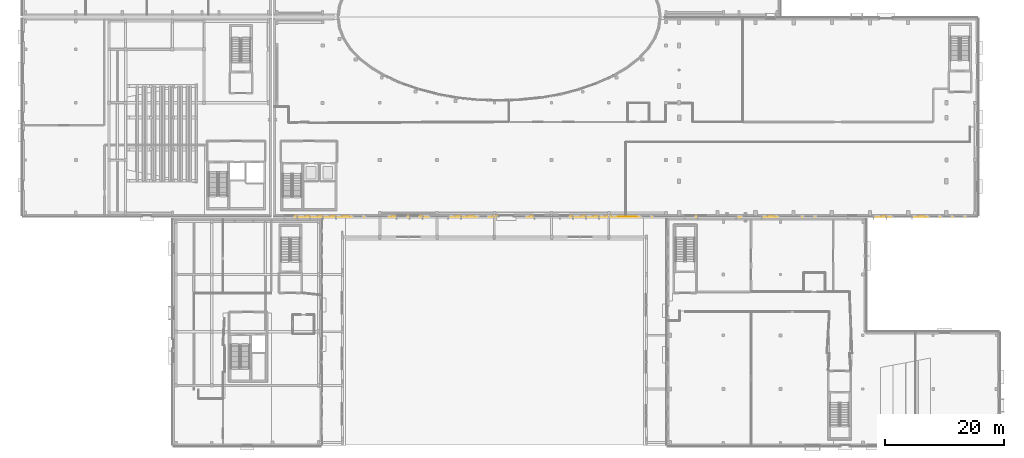
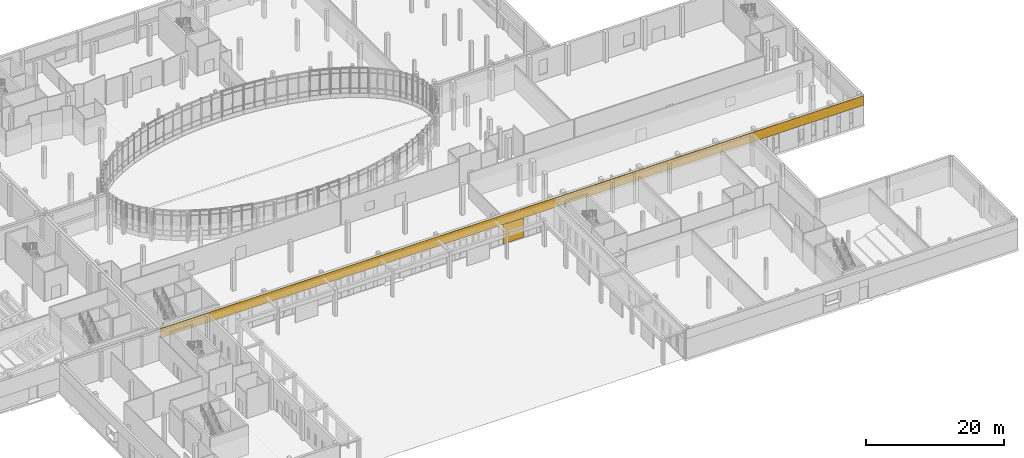
# One storey, part 65 of 84: 2 coverings.
"""IFC4 building model written with IfcOpenShell, lengths in metres."""

from ifc_helpers import new_model, si_unit, direction, frame, origin, origin_2d, place, context, subcontext, project, spatial, rectangle, extrude, material, layer, layer_set, type_object, element, save


model = new_model("IFC4")

# Units and contexts
model_context = context("Model", 3, precision=1e-05, world=origin(), true_north=direction((0.0, 1.0)))
body_context = subcontext(model_context, "Body", "Model", "MODEL_VIEW")
ifc_project = project(units=[si_unit("LENGTHUNIT", "METRE"), si_unit("AREAUNIT", "SQUARE_METRE"), si_unit("VOLUMEUNIT", "CUBIC_METRE"), si_unit("PLANEANGLEUNIT", "RADIAN"), si_unit("MASSUNIT", "GRAM", prefix="KILO")], contexts=[model_context])

# Site, building, storey
site_placement = place(None, origin())
site = spatial("IfcSite", under=ifc_project, at=site_placement, CompositionType="ELEMENT")
building_placement = place(site_placement, origin())
building = spatial("IfcBuilding", under=site, at=building_placement, Name="Mzevani Central Library", CompositionType="ELEMENT")
storey_placement = place(building_placement, origin())
storey = spatial("IfcBuildingStorey", under=building, at=storey_placement, Name="L00", CompositionType="ELEMENT", Elevation=0.0)

# Coverings
ifc_material = material(Name="Limestone ashlar cladding", Category="masonry")
ifc_layer = layer(ifc_material, 0.050048828125, Name="Limestone Ashlar Spandrel Cladding")
ifc_layer_set = layer_set([ifc_layer], Name="Limestone ashlar cladding")
covering_type = type_object("IfcCoveringType", Name="Limestone Ashlar Spandrel Cladding", PredefinedType="CLADDING", material=ifc_layer_set)
covering_1_placement = place(storey_placement, frame((105.25, 42.47607421875, 3.449951171875), z_axis=(0.0, 0.0, 1.0), x_axis=(-1.0, 0.0, 0.0)))
element("IfcCovering", 1, at=covering_1_placement, inside=storey, type_object=covering_type, Name="L00 Warm-White Facade Spandrel (EW4-V1-L00-0002)", PredefinedType="CLADDING", context=body_context, shape_type="SweptSolid", body=[
    extrude(rectangle(XDim=117.8798828125, YDim=0.050048828125, at=origin_2d()), origin(), (0.0, 0.0, 1.0), 1.68994140625),
])
covering_2_placement = place(storey_placement, frame((105.485107421875, 42.47607421875, 0.0), z_axis=(0.0, 0.0, 1.0), x_axis=(-1.0, 0.0, 0.0)))
element("IfcCovering", 2, at=covering_2_placement, inside=storey, type_object=covering_type, Name="L00 Warm-White Facade Pier 35 (EW4-V1-L00-0002)", PredefinedType="CLADDING", context=body_context, shape_type="SweptSolid", body=[
    extrude(rectangle(XDim=3.4599609375, YDim=0.050048828125, at=origin_2d()), origin(), (0.0, 0.0, 1.0), 3.449951171875),
])

save(model, "model.ifc")
